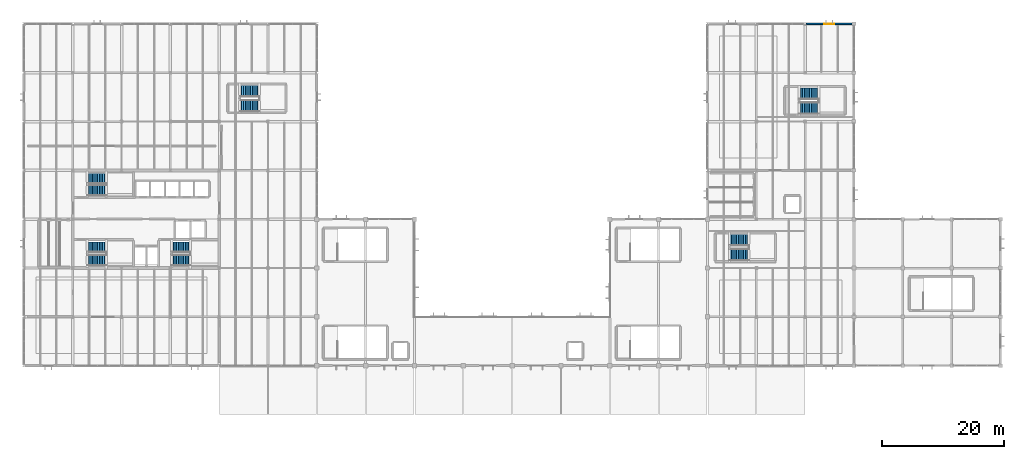
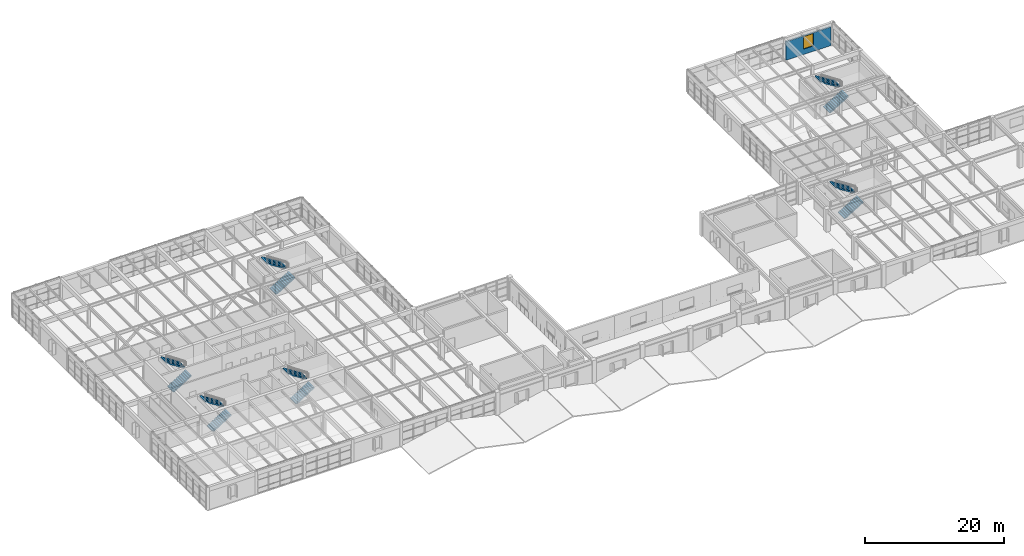
# One storey, part 42 of 48: 12 stair flights, 1 wall, 1 window, 1 opening, 6 elements without a shape of their own.
"""IFC4 building model written with IfcOpenShell, lengths in metres."""

from ifc_helpers import new_model, si_unit, direction, frame, frame_2d, origin, place, context, subcontext, project, spatial, polyline, rectangle, outline, extrude, material, layer, layer_set, type_object, element, fill, aggregate, save


model = new_model("IFC4")

# Units and contexts
model_context = context("Model", 3, precision=1e-05, world=origin(), true_north=direction((0.0, 1.0)))
body_context = subcontext(model_context, "Body", "Model", "MODEL_VIEW")
ifc_project = project(units=[si_unit("LENGTHUNIT", "METRE"), si_unit("AREAUNIT", "SQUARE_METRE"), si_unit("VOLUMEUNIT", "CUBIC_METRE"), si_unit("PLANEANGLEUNIT", "RADIAN"), si_unit("MASSUNIT", "GRAM", prefix="KILO")], contexts=[model_context])

# Site, building, storey
site_placement = place(None, origin())
site = spatial("IfcSite", under=ifc_project, at=site_placement, CompositionType="ELEMENT")
building_placement = place(site_placement, origin())
building = spatial("IfcBuilding", under=site, at=building_placement, Name="Varnela Railside Interchange", CompositionType="ELEMENT")
storey_placement = place(building_placement, frame((0.0, 0.0, 11.199951171875)))
storey = spatial("IfcBuildingStorey", under=building, at=storey_placement, Name="L02", CompositionType="ELEMENT", Elevation=11.199951171875)

# Wall, opening, window
ifc_material_1 = material(Name="Concrete C40 precast", Category="concrete")
ifc_layer = layer(ifc_material_1, 0.260009765625)
ifc_layer_set = layer_set([ifc_layer], Name="Concrete C40 precast")
wall_type = type_object("IfcWallType", Name="Terracotta Precast Study Facade Wall EW-03", PredefinedType="STANDARD", material=ifc_layer_set)
wall_placement = place(storey_placement, frame((132.197021484375, 94.0, 0.0), z_axis=(0.0, 0.0, 1.0), x_axis=(1.0, 0.0, 0.0)))
wall = element("IfcWall", 1, at=wall_placement, inside=storey, type_object=wall_type, Name="Terracotta Precast Study Facade Wall EW-03 (L02) (WL-0671)", PredefinedType="STANDARD", context=body_context, shape_type="SweptSolid", body=[
    extrude(rectangle(XDim=7.5029296875, YDim=0.260009765625, at=frame_2d((3.75146484375, 0.0))), origin(), (0.0, 0.0, 1.0), 3.25),
])
opening_placement = place(wall_placement, frame((2.951416015625, 0.0, 0.949951171875)))
opening = element("IfcOpeningElement", 2, at=opening_placement, cuts=wall, Name="Opening W-078", PredefinedType="OPENING", context=body_context, shape_type="SweptSolid", body=[
    extrude(rectangle(XDim=1.60009765625, YDim=2.199951171875, at=frame_2d((0.800048828125, 1.10009765625))), frame((0.0, 0.139892578125, 0.0), z_axis=(0.0, -1.0, 0.0), x_axis=(1.0, 0.0, 0.0)), (0.0, 0.0, 1.0), 0.280029296875),
])
ifc_material_2 = material(Name="Glass laminated double", Category="glass")
window_type = type_object("IfcWindowType", Name="Study Pavilion Tall Window WN-03", PartitioningType="SINGLE_PANEL", PredefinedType="WINDOW", material=ifc_material_2)
window_placement = place(opening_placement, origin())
window = element("IfcWindow", 3, at=window_placement, inside=storey, type_object=window_type, Name="Window W-078", OverallHeight=2.199951171875, OverallWidth=1.60009765625, PartitioningType="SINGLE_PANEL", PredefinedType="WINDOW", context=body_context, shape_type="SweptSolid", body=[
    extrude(rectangle(XDim=1.60009765625, YDim=2.199951171875, at=frame_2d((0.800048828125, 1.10009765625))), frame((0.0, 0.030029296875, 0.0), z_axis=(0.0, -1.0, 0.0), x_axis=(1.0, 0.0, 0.0)), (0.0, 0.0, 1.0), 0.06005859375),
])
fill(opening, window)

# Stair, stair flights
ifc_material_3 = material(Name="Concrete C40", Category="concrete")
stair_type_1 = type_object("IfcStairType", Name="Core Pressurized Stair ST-165", PredefinedType="TWO_STRAIGHT_RUN_STAIR", material=ifc_material_3)
stair_1_placement = place(storey_placement, origin())
stair_1 = element("IfcStair", 4, at=stair_1_placement, inside=storey, type_object=stair_type_1, Name="Stair ST-T1 (L02) (SF-163)", PredefinedType="TWO_STRAIGHT_RUN_STAIR")
stair_flight_type_1 = type_object("IfcStairFlightType", Name="Concrete Stair Flight SF-165", PredefinedType="STRAIGHT", material=ifc_material_3)
stair_flight_1_placement = place(storey_placement, frame((14.39990234375, 55.324951171875, 0.0), z_axis=(0.0, 0.0, 1.0), x_axis=(1.0, 0.0, 0.0)))
stair_flight_1 = element("IfcStairFlight", 5, at=stair_flight_1_placement, type_object=stair_flight_type_1, Name="ST-T1 flight 1 (SF-164)", NumberOfRisers=12, NumberOfTreads=11, PredefinedType="STRAIGHT", RiserHeight=0.175, TreadLength=0.28, context=body_context, shape_type="SweptSolid", body=[
    extrude(outline(polyline([(0.0, 0.0), (0.0, 0.175048828125), (0.280029296875, 0.175048828125), (0.280029296875, 0.35009765625), (0.56005859375, 0.35009765625), (0.56005859375, 0.52490234375), (0.840087890625, 0.52490234375), (0.840087890625, 0.699951171875), (1.1201171875, 0.699951171875), (1.1201171875, 0.875), (1.39990234375, 0.875), (1.39990234375, 1.050048828125), (1.679931640625, 1.050048828125), (1.679931640625, 1.22509765625), (1.9599609375, 1.22509765625), (1.9599609375, 1.39990234375), (2.239990234375, 1.39990234375), (2.239990234375, 1.574951171875), (2.52001953125, 1.574951171875), (2.52001953125, 1.75), (2.800048828125, 1.75), (2.800048828125, 1.925048828125), (3.080078125, 1.925048828125), (3.080078125, 2.10009765625), (3.080078125, 1.736328125), (0.3017578125, 0.0), (0.0, 0.0)])), frame((0.0, 0.824951171875, 0.0), z_axis=(0.0, -1.0, 0.0), x_axis=(1.0, 0.0, 0.0)), (0.0, 0.0, 1.0), 1.64990234375),
])
stair_flight_2_placement = place(storey_placement, frame((17.47998046875, 57.47509765625, 2.10009765625), z_axis=(0.0, 0.0, 1.0), x_axis=(-1.0, 0.0, 0.0)))
stair_flight_2 = element("IfcStairFlight", 6, at=stair_flight_2_placement, type_object=stair_flight_type_1, Name="ST-T1 flight 2 (SF-165)", NumberOfRisers=12, NumberOfTreads=11, PredefinedType="STRAIGHT", RiserHeight=0.175, TreadLength=0.28, context=body_context, shape_type="SweptSolid", body=[
    extrude(outline(polyline([(0.0, 0.0), (0.0, 0.175048828125), (0.280029296875, 0.175048828125), (0.280029296875, 0.35009765625), (0.56005859375, 0.35009765625), (0.56005859375, 0.52490234375), (0.840087890625, 0.52490234375), (0.840087890625, 0.699951171875), (1.1201171875, 0.699951171875), (1.1201171875, 0.875), (1.39990234375, 0.875), (1.39990234375, 1.050048828125), (1.679931640625, 1.050048828125), (1.679931640625, 1.22509765625), (1.9599609375, 1.22509765625), (1.9599609375, 1.39990234375), (2.239990234375, 1.39990234375), (2.239990234375, 1.574951171875), (2.52001953125, 1.574951171875), (2.52001953125, 1.75), (2.800048828125, 1.75), (2.800048828125, 1.925048828125), (3.080078125, 1.925048828125), (3.080078125, 2.10009765625), (3.080078125, 1.736328125), (0.3017578125, 0.0), (0.0, 0.0)])), frame((0.0, 0.824951171875, 0.0), z_axis=(0.0, -1.0, 0.0), x_axis=(1.0, 0.0, 0.0)), (0.0, 0.0, 1.0), 1.64990234375),
])
aggregate(stair_1, [stair_flight_1, stair_flight_2])

stair_2_placement = place(storey_placement, origin())
stair_2 = element("IfcStair", 7, at=stair_2_placement, inside=storey, type_object=stair_type_1, Name="Stair ST-T2 (L02) (SF-166)", PredefinedType="TWO_STRAIGHT_RUN_STAIR")
stair_flight_3_placement = place(storey_placement, frame((28.199951171875, 55.324951171875, 0.0), z_axis=(0.0, 0.0, 1.0), x_axis=(1.0, 0.0, 0.0)))
stair_flight_3 = element("IfcStairFlight", 8, at=stair_flight_3_placement, type_object=stair_flight_type_1, Name="ST-T2 flight 1 (SF-167)", NumberOfRisers=12, NumberOfTreads=11, PredefinedType="STRAIGHT", RiserHeight=0.175, TreadLength=0.28, context=body_context, shape_type="SweptSolid", body=[
    extrude(outline(polyline([(0.0, 0.0), (0.0, 0.175048828125), (0.280029296875, 0.175048828125), (0.280029296875, 0.35009765625), (0.56005859375, 0.35009765625), (0.56005859375, 0.52490234375), (0.840087890625, 0.52490234375), (0.840087890625, 0.699951171875), (1.1201171875, 0.699951171875), (1.1201171875, 0.875), (1.39990234375, 0.875), (1.39990234375, 1.050048828125), (1.679931640625, 1.050048828125), (1.679931640625, 1.22509765625), (1.9599609375, 1.22509765625), (1.9599609375, 1.39990234375), (2.239990234375, 1.39990234375), (2.239990234375, 1.574951171875), (2.52001953125, 1.574951171875), (2.52001953125, 1.75), (2.800048828125, 1.75), (2.800048828125, 1.925048828125), (3.080078125, 1.925048828125), (3.080078125, 2.10009765625), (3.080078125, 1.736328125), (0.3017578125, 0.0), (0.0, 0.0)])), frame((0.0, 0.824951171875, 0.0), z_axis=(0.0, -1.0, 0.0), x_axis=(1.0, 0.0, 0.0)), (0.0, 0.0, 1.0), 1.64990234375),
])
stair_flight_4_placement = place(storey_placement, frame((31.280029296875, 57.47509765625, 2.10009765625), z_axis=(0.0, 0.0, 1.0), x_axis=(-1.0, 0.0, 0.0)))
stair_flight_4 = element("IfcStairFlight", 9, at=stair_flight_4_placement, type_object=stair_flight_type_1, Name="ST-T2 flight 2 (SF-168)", NumberOfRisers=12, NumberOfTreads=11, PredefinedType="STRAIGHT", RiserHeight=0.175, TreadLength=0.28, context=body_context, shape_type="SweptSolid", body=[
    extrude(outline(polyline([(0.0, 0.0), (0.0, 0.175048828125), (0.280029296875, 0.175048828125), (0.280029296875, 0.35009765625), (0.56005859375, 0.35009765625), (0.56005859375, 0.52490234375), (0.840087890625, 0.52490234375), (0.840087890625, 0.699951171875), (1.1201171875, 0.699951171875), (1.1201171875, 0.875), (1.39990234375, 0.875), (1.39990234375, 1.050048828125), (1.679931640625, 1.050048828125), (1.679931640625, 1.22509765625), (1.9599609375, 1.22509765625), (1.9599609375, 1.39990234375), (2.239990234375, 1.39990234375), (2.239990234375, 1.574951171875), (2.52001953125, 1.574951171875), (2.52001953125, 1.75), (2.800048828125, 1.75), (2.800048828125, 1.925048828125), (3.080078125, 1.925048828125), (3.080078125, 2.10009765625), (3.080078125, 1.736328125), (0.3017578125, 0.0), (0.0, 0.0)])), frame((0.0, 0.824951171875, 0.0), z_axis=(0.0, -1.0, 0.0), x_axis=(1.0, 0.0, 0.0)), (0.0, 0.0, 1.0), 1.64990234375),
])
aggregate(stair_2, [stair_flight_3, stair_flight_4])

stair_3_placement = place(storey_placement, origin())
stair_3 = element("IfcStair", 10, at=stair_3_placement, inside=storey, type_object=stair_type_1, Name="Stair ST-T3 (L02) (SF-169)", PredefinedType="TWO_STRAIGHT_RUN_STAIR")
stair_flight_5_placement = place(storey_placement, frame((14.39990234375, 66.72509765625, 0.0), z_axis=(0.0, 0.0, 1.0), x_axis=(1.0, 0.0, 0.0)))
stair_flight_5 = element("IfcStairFlight", 11, at=stair_flight_5_placement, type_object=stair_flight_type_1, Name="ST-T3 flight 1 (SF-170)", NumberOfRisers=12, NumberOfTreads=11, PredefinedType="STRAIGHT", RiserHeight=0.175, TreadLength=0.28, context=body_context, shape_type="SweptSolid", body=[
    extrude(outline(polyline([(0.0, 0.0), (0.0, 0.175048828125), (0.280029296875, 0.175048828125), (0.280029296875, 0.35009765625), (0.56005859375, 0.35009765625), (0.56005859375, 0.52490234375), (0.840087890625, 0.52490234375), (0.840087890625, 0.699951171875), (1.1201171875, 0.699951171875), (1.1201171875, 0.875), (1.39990234375, 0.875), (1.39990234375, 1.050048828125), (1.679931640625, 1.050048828125), (1.679931640625, 1.22509765625), (1.9599609375, 1.22509765625), (1.9599609375, 1.39990234375), (2.239990234375, 1.39990234375), (2.239990234375, 1.574951171875), (2.52001953125, 1.574951171875), (2.52001953125, 1.75), (2.800048828125, 1.75), (2.800048828125, 1.925048828125), (3.080078125, 1.925048828125), (3.080078125, 2.10009765625), (3.080078125, 1.736328125), (0.3017578125, 0.0), (0.0, 0.0)])), frame((0.0, 0.824951171875, 0.0), z_axis=(0.0, -1.0, 0.0), x_axis=(1.0, 0.0, 0.0)), (0.0, 0.0, 1.0), 1.64990234375),
])
stair_flight_6_placement = place(storey_placement, frame((17.47998046875, 68.675048828125, 2.10009765625), z_axis=(0.0, 0.0, 1.0), x_axis=(-1.0, 0.0, 0.0)))
stair_flight_6 = element("IfcStairFlight", 12, at=stair_flight_6_placement, type_object=stair_flight_type_1, Name="ST-T3 flight 2 (SF-171)", NumberOfRisers=12, NumberOfTreads=11, PredefinedType="STRAIGHT", RiserHeight=0.175, TreadLength=0.28, context=body_context, shape_type="SweptSolid", body=[
    extrude(outline(polyline([(0.0, 0.0), (0.0, 0.175048828125), (0.280029296875, 0.175048828125), (0.280029296875, 0.35009765625), (0.56005859375, 0.35009765625), (0.56005859375, 0.52490234375), (0.840087890625, 0.52490234375), (0.840087890625, 0.699951171875), (1.1201171875, 0.699951171875), (1.1201171875, 0.875), (1.39990234375, 0.875), (1.39990234375, 1.050048828125), (1.679931640625, 1.050048828125), (1.679931640625, 1.22509765625), (1.9599609375, 1.22509765625), (1.9599609375, 1.39990234375), (2.239990234375, 1.39990234375), (2.239990234375, 1.574951171875), (2.52001953125, 1.574951171875), (2.52001953125, 1.75), (2.800048828125, 1.75), (2.800048828125, 1.925048828125), (3.080078125, 1.925048828125), (3.080078125, 2.10009765625), (3.080078125, 1.736328125), (0.3017578125, 0.0), (0.0, 0.0)])), frame((0.0, 0.824951171875, 0.0), z_axis=(0.0, -1.0, 0.0), x_axis=(1.0, 0.0, 0.0)), (0.0, 0.0, 1.0), 1.64990234375),
])
aggregate(stair_3, [stair_flight_5, stair_flight_6])

stair_type_2 = type_object("IfcStairType", Name="Study Pavilion Stair ST-180", PredefinedType="TWO_STRAIGHT_RUN_STAIR", material=ifc_material_3)
stair_4_placement = place(storey_placement, origin())
stair_4 = element("IfcStair", 13, at=stair_4_placement, inside=storey, type_object=stair_type_2, Name="Stair ST-E1 (L02) (SF-157)", PredefinedType="TWO_STRAIGHT_RUN_STAIR")
stair_flight_type_2 = type_object("IfcStairFlightType", Name="Concrete Stair Flight SF-180", PredefinedType="STRAIGHT", material=ifc_material_3)
stair_flight_7_placement = place(storey_placement, frame((119.60009765625, 56.199951171875, 0.0), z_axis=(0.0, 0.0, 1.0), x_axis=(1.0, 0.0, 0.0)))
stair_flight_7 = element("IfcStairFlight", 14, at=stair_flight_7_placement, type_object=stair_flight_type_2, Name="ST-E1 flight 1 (SF-158)", NumberOfRisers=12, NumberOfTreads=11, PredefinedType="STRAIGHT", RiserHeight=0.175, TreadLength=0.29, context=body_context, shape_type="SweptSolid", body=[
    extrude(outline(polyline([(0.0, 0.0), (0.0, 0.175048828125), (0.2900390625, 0.175048828125), (0.2900390625, 0.35009765625), (0.580078125, 0.35009765625), (0.580078125, 0.52490234375), (0.8701171875, 0.52490234375), (0.8701171875, 0.699951171875), (1.159912109375, 0.699951171875), (1.159912109375, 0.875), (1.449951171875, 0.875), (1.449951171875, 1.050048828125), (1.739990234375, 1.050048828125), (1.739990234375, 1.22509765625), (2.030029296875, 1.22509765625), (2.030029296875, 1.39990234375), (2.320068359375, 1.39990234375), (2.320068359375, 1.574951171875), (2.610107421875, 1.574951171875), (2.610107421875, 1.75), (2.89990234375, 1.75), (2.89990234375, 1.925048828125), (3.18994140625, 1.925048828125), (3.18994140625, 2.10009765625), (3.18994140625, 1.73828125), (0.3095703125, 0.0), (0.0, 0.0)])), frame((0.0, 0.89990234375, 0.0), z_axis=(0.0, -1.0, 0.0), x_axis=(1.0, 0.0, 0.0)), (0.0, 0.0, 1.0), 1.800048828125),
])
stair_flight_8_placement = place(storey_placement, frame((122.7900390625, 58.60009765625, 2.10009765625), z_axis=(0.0, 0.0, 1.0), x_axis=(-1.0, 0.0, 0.0)))
stair_flight_8 = element("IfcStairFlight", 15, at=stair_flight_8_placement, type_object=stair_flight_type_2, Name="ST-E1 flight 2 (SF-159)", NumberOfRisers=12, NumberOfTreads=11, PredefinedType="STRAIGHT", RiserHeight=0.175, TreadLength=0.29, context=body_context, shape_type="SweptSolid", body=[
    extrude(outline(polyline([(0.0, 0.0), (0.0, 0.175048828125), (0.2900390625, 0.175048828125), (0.2900390625, 0.35009765625), (0.580078125, 0.35009765625), (0.580078125, 0.52490234375), (0.8701171875, 0.52490234375), (0.8701171875, 0.699951171875), (1.159912109375, 0.699951171875), (1.159912109375, 0.875), (1.449951171875, 0.875), (1.449951171875, 1.050048828125), (1.739990234375, 1.050048828125), (1.739990234375, 1.22509765625), (2.030029296875, 1.22509765625), (2.030029296875, 1.39990234375), (2.320068359375, 1.39990234375), (2.320068359375, 1.574951171875), (2.610107421875, 1.574951171875), (2.610107421875, 1.75), (2.89990234375, 1.75), (2.89990234375, 1.925048828125), (3.18994140625, 1.925048828125), (3.18994140625, 2.10009765625), (3.18994140625, 1.73828125), (0.3095703125, 0.0), (0.0, 0.0)])), frame((0.0, 0.89990234375, 0.0), z_axis=(0.0, -1.0, 0.0), x_axis=(1.0, 0.0, 0.0)), (0.0, 0.0, 1.0), 1.800048828125),
])
aggregate(stair_4, [stair_flight_7, stair_flight_8])

stair_5_placement = place(storey_placement, origin())
stair_5 = element("IfcStair", 16, at=stair_5_placement, inside=storey, type_object=stair_type_2, Name="Stair ST-E2 (L02) (SF-160)", PredefinedType="TWO_STRAIGHT_RUN_STAIR")
stair_flight_9_placement = place(storey_placement, frame((131.0, 80.199951171875, 0.0), z_axis=(0.0, 0.0, 1.0), x_axis=(1.0, 0.0, 0.0)))
stair_flight_9 = element("IfcStairFlight", 17, at=stair_flight_9_placement, type_object=stair_flight_type_2, Name="ST-E2 flight 1 (SF-161)", NumberOfRisers=12, NumberOfTreads=11, PredefinedType="STRAIGHT", RiserHeight=0.175, TreadLength=0.29, context=body_context, shape_type="SweptSolid", body=[
    extrude(outline(polyline([(0.0, 0.0), (0.0, 0.175048828125), (0.2900390625, 0.175048828125), (0.2900390625, 0.35009765625), (0.580078125, 0.35009765625), (0.580078125, 0.52490234375), (0.8701171875, 0.52490234375), (0.8701171875, 0.699951171875), (1.159912109375, 0.699951171875), (1.159912109375, 0.875), (1.449951171875, 0.875), (1.449951171875, 1.050048828125), (1.739990234375, 1.050048828125), (1.739990234375, 1.22509765625), (2.030029296875, 1.22509765625), (2.030029296875, 1.39990234375), (2.320068359375, 1.39990234375), (2.320068359375, 1.574951171875), (2.610107421875, 1.574951171875), (2.610107421875, 1.75), (2.89990234375, 1.75), (2.89990234375, 1.925048828125), (3.18994140625, 1.925048828125), (3.18994140625, 2.10009765625), (3.18994140625, 1.73828125), (0.3095703125, 0.0), (0.0, 0.0)])), frame((0.0, 0.89990234375, 0.0), z_axis=(0.0, -1.0, 0.0), x_axis=(1.0, 0.0, 0.0)), (0.0, 0.0, 1.0), 1.800048828125),
])
stair_flight_10_placement = place(storey_placement, frame((134.18994140625, 82.60009765625, 2.10009765625), z_axis=(0.0, 0.0, 1.0), x_axis=(-1.0, 0.0, 0.0)))
stair_flight_10 = element("IfcStairFlight", 18, at=stair_flight_10_placement, type_object=stair_flight_type_2, Name="ST-E2 flight 2 (SF-162)", NumberOfRisers=12, NumberOfTreads=11, PredefinedType="STRAIGHT", RiserHeight=0.175, TreadLength=0.29, context=body_context, shape_type="SweptSolid", body=[
    extrude(outline(polyline([(0.0, 0.0), (0.0, 0.175048828125), (0.2900390625, 0.175048828125), (0.2900390625, 0.35009765625), (0.580078125, 0.35009765625), (0.580078125, 0.52490234375), (0.8701171875, 0.52490234375), (0.8701171875, 0.699951171875), (1.159912109375, 0.699951171875), (1.159912109375, 0.875), (1.449951171875, 0.875), (1.449951171875, 1.050048828125), (1.739990234375, 1.050048828125), (1.739990234375, 1.22509765625), (2.030029296875, 1.22509765625), (2.030029296875, 1.39990234375), (2.320068359375, 1.39990234375), (2.320068359375, 1.574951171875), (2.610107421875, 1.574951171875), (2.610107421875, 1.75), (2.89990234375, 1.75), (2.89990234375, 1.925048828125), (3.18994140625, 1.925048828125), (3.18994140625, 2.10009765625), (3.18994140625, 1.73828125), (0.3095703125, 0.0), (0.0, 0.0)])), frame((0.0, 0.89990234375, 0.0), z_axis=(0.0, -1.0, 0.0), x_axis=(1.0, 0.0, 0.0)), (0.0, 0.0, 1.0), 1.800048828125),
])
aggregate(stair_5, [stair_flight_9, stair_flight_10])

stair_6_placement = place(storey_placement, origin())
stair_6 = element("IfcStair", 19, at=stair_6_placement, inside=storey, type_object=stair_type_2, Name="Stair ST-W1 (L02) (SF-172)", PredefinedType="TWO_STRAIGHT_RUN_STAIR")
stair_flight_11_placement = place(storey_placement, frame((39.39990234375, 80.60009765625, 0.0), z_axis=(0.0, 0.0, 1.0), x_axis=(1.0, 0.0, 0.0)))
stair_flight_11 = element("IfcStairFlight", 20, at=stair_flight_11_placement, type_object=stair_flight_type_2, Name="ST-W1 flight 1 (SF-173)", NumberOfRisers=12, NumberOfTreads=11, PredefinedType="STRAIGHT", RiserHeight=0.175, TreadLength=0.29, context=body_context, shape_type="SweptSolid", body=[
    extrude(outline(polyline([(0.0, 0.0), (0.0, 0.175048828125), (0.2900390625, 0.175048828125), (0.2900390625, 0.35009765625), (0.580078125, 0.35009765625), (0.580078125, 0.52490234375), (0.8701171875, 0.52490234375), (0.8701171875, 0.699951171875), (1.159912109375, 0.699951171875), (1.159912109375, 0.875), (1.449951171875, 0.875), (1.449951171875, 1.050048828125), (1.739990234375, 1.050048828125), (1.739990234375, 1.22509765625), (2.030029296875, 1.22509765625), (2.030029296875, 1.39990234375), (2.320068359375, 1.39990234375), (2.320068359375, 1.574951171875), (2.610107421875, 1.574951171875), (2.610107421875, 1.75), (2.89990234375, 1.75), (2.89990234375, 1.925048828125), (3.18994140625, 1.925048828125), (3.18994140625, 2.10009765625), (3.18994140625, 1.73828125), (0.3095703125, 0.0), (0.0, 0.0)])), frame((0.0, 0.89990234375, 0.0), z_axis=(0.0, -1.0, 0.0), x_axis=(1.0, 0.0, 0.0)), (0.0, 0.0, 1.0), 1.800048828125),
])
stair_flight_12_placement = place(storey_placement, frame((42.590087890625, 83.0, 2.10009765625), z_axis=(0.0, 0.0, 1.0), x_axis=(-1.0, 0.0, 0.0)))
stair_flight_12 = element("IfcStairFlight", 21, at=stair_flight_12_placement, type_object=stair_flight_type_2, Name="ST-W1 flight 2 (SF-174)", NumberOfRisers=12, NumberOfTreads=11, PredefinedType="STRAIGHT", RiserHeight=0.175, TreadLength=0.29, context=body_context, shape_type="SweptSolid", body=[
    extrude(outline(polyline([(0.0, 0.0), (0.0, 0.175048828125), (0.2900390625, 0.175048828125), (0.2900390625, 0.35009765625), (0.580078125, 0.35009765625), (0.580078125, 0.52490234375), (0.8701171875, 0.52490234375), (0.8701171875, 0.699951171875), (1.159912109375, 0.699951171875), (1.159912109375, 0.875), (1.449951171875, 0.875), (1.449951171875, 1.050048828125), (1.739990234375, 1.050048828125), (1.739990234375, 1.22509765625), (2.030029296875, 1.22509765625), (2.030029296875, 1.39990234375), (2.320068359375, 1.39990234375), (2.320068359375, 1.574951171875), (2.610107421875, 1.574951171875), (2.610107421875, 1.75), (2.89990234375, 1.75), (2.89990234375, 1.925048828125), (3.18994140625, 1.925048828125), (3.18994140625, 2.10009765625), (3.18994140625, 1.73828125), (0.3095703125, 0.0), (0.0, 0.0)])), frame((0.0, 0.89990234375, 0.0), z_axis=(0.0, -1.0, 0.0), x_axis=(1.0, 0.0, 0.0)), (0.0, 0.0, 1.0), 1.800048828125),
])
aggregate(stair_6, [stair_flight_11, stair_flight_12])

save(model, "model.ifc")
